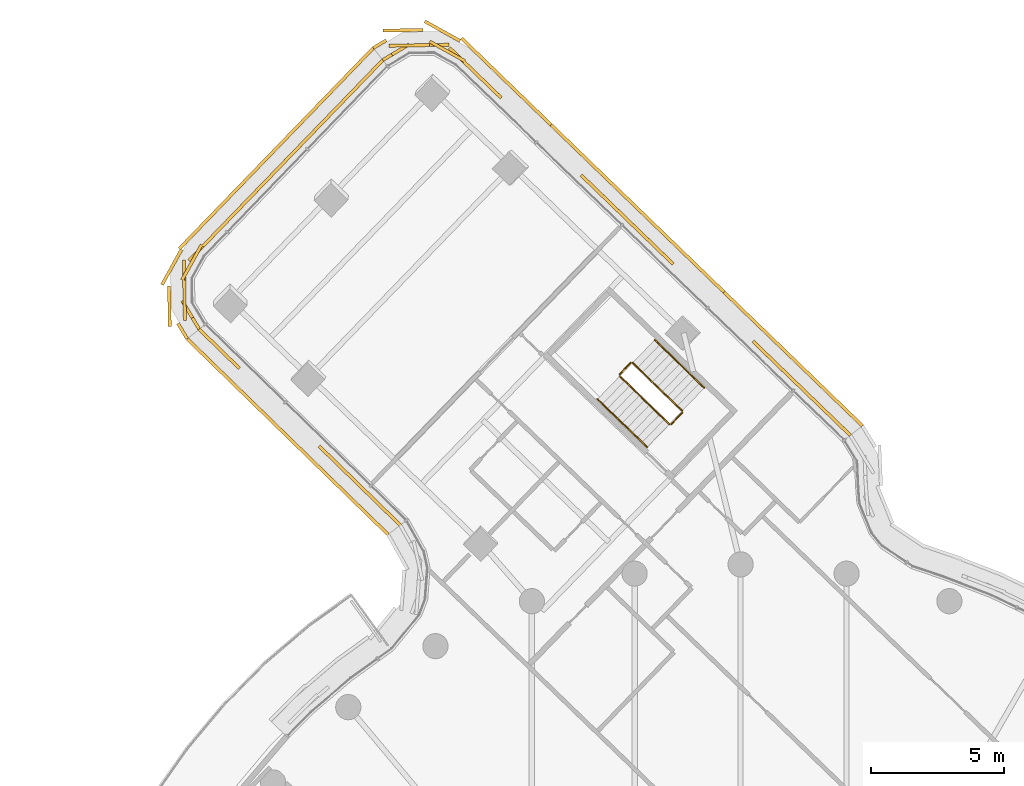
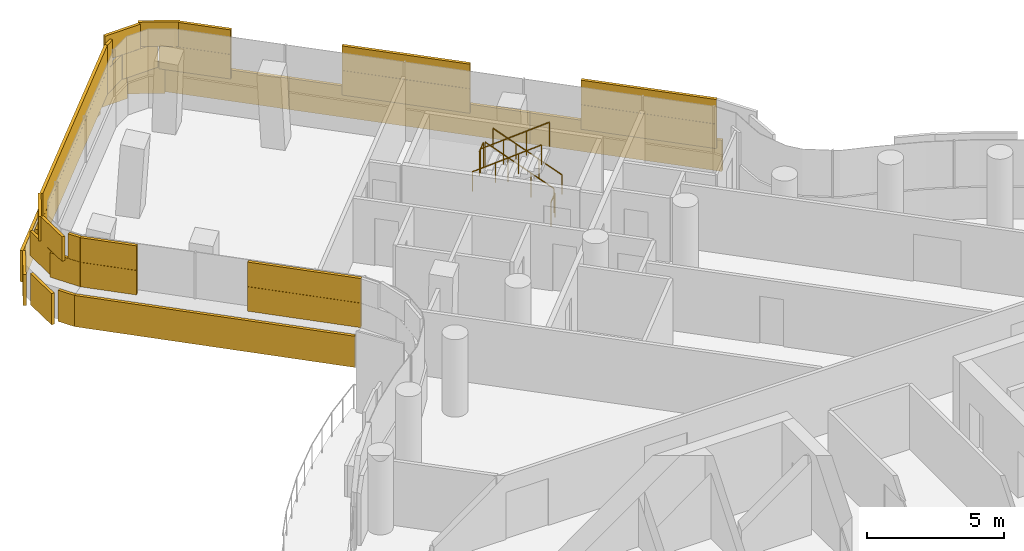
# One storey, part 29 of 31: 6 railings, 5 coverings.
"""IFC4 building model written with IfcOpenShell, lengths in metres."""

from ifc_helpers import new_model, si_unit, direction, frame, origin, origin_2d, place, context, subcontext, project, spatial, rectangle, circle, extrude, material, layer, layer_set, type_object, element, save


model = new_model("IFC4")

# Units and contexts
model_context = context("Model", 3, precision=1e-05, world=origin(), true_north=direction((0.0, 1.0)))
body_context = subcontext(model_context, "Body", "Model", "MODEL_VIEW")
ifc_project = project(units=[si_unit("LENGTHUNIT", "METRE"), si_unit("AREAUNIT", "SQUARE_METRE"), si_unit("VOLUMEUNIT", "CUBIC_METRE"), si_unit("PLANEANGLEUNIT", "RADIAN"), si_unit("MASSUNIT", "GRAM", prefix="KILO")], contexts=[model_context])

# Site, building, storey
site_placement = place(None, origin())
site = spatial("IfcSite", under=ifc_project, at=site_placement, CompositionType="ELEMENT")
building_placement = place(site_placement, origin())
building = spatial("IfcBuilding", under=site, at=building_placement, Name="Tamarind Cross Interchange Tower", CompositionType="ELEMENT")
storey_placement = place(building_placement, frame((0.0, 0.0, 200.5)))
storey = spatial("IfcBuildingStorey", under=building, at=storey_placement, Name="L50", CompositionType="ELEMENT", Elevation=200.5)

# Railings
ifc_material_1 = material(Name="Stair guard")
railing_type_1 = type_object("IfcRailingType", Name="Stair guard", PredefinedType="GUARDRAIL", material=ifc_material_1)
railing_1_placement = place(storey_placement, frame((-2.201416015625, 28.787353515625, 0.16357421875)))
element("IfcRailing", 1, at=railing_1_placement, inside=storey, type_object=railing_type_1, Name="L50 ST4 stair guard 1", PredefinedType="GUARDRAIL", context=body_context, shape_type="SweptSolid", body=[
    extrude(circle(Radius=0.02392578125, at=origin_2d()), frame((0.0, 0.0, 1.076171875), z_axis=(-0.608514108056, 0.588169376221, 0.532698193326), x_axis=(-0.694984879438, -0.719024351015, 0.0)), (0.0, 0.0, 1.0), 3.072021484375),
    extrude(circle(Radius=0.02099609375, at=origin_2d()), origin(), (0.0, 0.0, 1.0), 1.052001953125),
    extrude(circle(Radius=0.02099609375, at=origin_2d()), frame((-0.623046875, 0.602294921875, 0.54541015625)), (0.0, 0.0, 1.0), 1.052001953125),
    extrude(circle(Radius=0.02099609375, at=origin_2d()), frame((-1.246337890625, 1.20458984375, 1.091064453125)), (0.0, 0.0, 1.0), 1.052001953125),
    extrude(circle(Radius=0.02099609375, at=origin_2d()), frame((-1.869384765625, 1.806884765625, 1.636474609375)), (0.0, 0.0, 1.0), 1.052001953125),
])
railing_2_placement = place(storey_placement, frame((-4.141357421875, 30.593017578125, 1.800048828125)))
element("IfcRailing", 2, at=railing_2_placement, inside=storey, type_object=railing_type_1, Name="L50 ST4 stair guard 2", PredefinedType="GUARDRAIL", context=body_context, shape_type="SweptSolid", body=[
    extrude(circle(Radius=0.02392578125, at=origin_2d()), frame((0.0, 0.0, 1.076171875), z_axis=(-0.695001061607, -0.71900870952, 0.0), x_axis=(0.71900870952, -0.695001061607, 0.0)), (0.0, 0.0, 1.0), 0.60009765625),
    extrude(circle(Radius=0.02099609375, at=origin_2d()), origin(), (0.0, 0.0, 1.0), 1.052001953125),
    extrude(circle(Radius=0.02099609375, at=origin_2d()), frame((-0.4169921875, -0.431396484375, 0.0)), (0.0, 0.0, 1.0), 1.052001953125),
])
railing_3_placement = place(storey_placement, frame((-4.55712890625, 30.091064453125, 1.963623046875)))
element("IfcRailing", 3, at=railing_3_placement, inside=storey, type_object=railing_type_1, Name="L50 ST4 stair guard 3", PredefinedType="GUARDRAIL", context=body_context, shape_type="SweptSolid", body=[
    extrude(circle(Radius=0.02392578125, at=origin_2d()), frame((0.0, 0.0, 1.076171875), z_axis=(0.608485664496, -0.588221351521, 0.532673293603), x_axis=(0.695033422776, 0.718977427479, 0.0)), (0.0, 0.0, 1.0), 3.072265625),
    extrude(circle(Radius=0.02099609375, at=origin_2d()), origin(), (0.0, 0.0, 1.0), 1.052001953125),
    extrude(circle(Radius=0.02099609375, at=origin_2d()), frame((0.623046875, -0.602294921875, 0.54541015625)), (0.0, 0.0, 1.0), 1.052001953125),
    extrude(circle(Radius=0.02099609375, at=origin_2d()), frame((1.246337890625, -1.204833984375, 1.091064453125)), (0.0, 0.0, 1.0), 1.052001953125),
    extrude(circle(Radius=0.02099609375, at=origin_2d()), frame((1.869384765625, -1.80712890625, 1.636474609375)), (0.0, 0.0, 1.0), 1.052001953125),
])
railing_4_placement = place(storey_placement, frame((-2.2001953125, 28.716552734375, 0.0)))
element("IfcRailing", 4, at=railing_4_placement, inside=storey, type_object=railing_type_1, Name="L50 ST4 stair guard 4", PredefinedType="GUARDRAIL", context=body_context, shape_type="SweptSolid", body=[
    extrude(circle(Radius=0.02392578125, at=origin_2d()), frame((0.0, 0.0, 1.076171875), z_axis=(-0.695001061607, -0.71900870952, 0.0), x_axis=(0.71900870952, -0.695001061607, 0.0)), (0.0, 0.0, 1.0), 0.60009765625),
    extrude(circle(Radius=0.02099609375, at=origin_2d()), origin(), (0.0, 0.0, 1.0), 1.052001953125),
    extrude(circle(Radius=0.02099609375, at=origin_2d()), frame((-0.4169921875, -0.431396484375, 0.0)), (0.0, 0.0, 1.0), 1.052001953125),
])
ifc_material_2 = material(Name="Stair handrail")
railing_type_2 = type_object("IfcRailingType", Name="Stair handrail", PredefinedType="HANDRAIL", material=ifc_material_2)
railing_5_placement = place(storey_placement, frame((-1.3671875, 29.650146484375, 0.16357421875)))
element("IfcRailing", 5, at=railing_5_placement, inside=storey, type_object=railing_type_2, Name="L50 ST4 stair handrail 1", PredefinedType="HANDRAIL", context=body_context, shape_type="SweptSolid", body=[
    extrude(circle(Radius=0.02392578125, at=origin_2d()), frame((0.0, 0.0, 0.8759765625), z_axis=(-0.608514108056, 0.588169376221, 0.532698193326), x_axis=(-0.694984879438, -0.719024351015, 0.0)), (0.0, 0.0, 1.0), 3.072021484375),
    extrude(circle(Radius=0.02099609375, at=origin_2d()), origin(), (0.0, 0.0, 1.0), 0.851806640625),
    extrude(circle(Radius=0.02099609375, at=origin_2d()), frame((-0.623046875, 0.602294921875, 0.54541015625)), (0.0, 0.0, 1.0), 0.851806640625),
    extrude(circle(Radius=0.02099609375, at=origin_2d()), frame((-1.246337890625, 1.20458984375, 1.091064453125)), (0.0, 0.0, 1.0), 0.851806640625),
    extrude(circle(Radius=0.02099609375, at=origin_2d()), frame((-1.869384765625, 1.806884765625, 1.636474609375)), (0.0, 0.0, 1.0), 0.851806640625),
])
railing_6_placement = place(storey_placement, frame((-5.391357421875, 29.228271484375, 1.963623046875)))
element("IfcRailing", 6, at=railing_6_placement, inside=storey, type_object=railing_type_2, Name="L50 ST4 stair handrail 2", PredefinedType="HANDRAIL", context=body_context, shape_type="SweptSolid", body=[
    extrude(circle(Radius=0.02392578125, at=origin_2d()), frame((0.0, 0.0, 0.8759765625), z_axis=(0.608485664496, -0.588221351521, 0.532673293603), x_axis=(0.695033422776, 0.718977427479, 0.0)), (0.0, 0.0, 1.0), 3.072265625),
    extrude(circle(Radius=0.02099609375, at=origin_2d()), origin(), (0.0, 0.0, 1.0), 0.851806640625),
    extrude(circle(Radius=0.02099609375, at=origin_2d()), frame((0.623046875, -0.602294921875, 0.54541015625)), (0.0, 0.0, 1.0), 0.851806640625),
    extrude(circle(Radius=0.02099609375, at=origin_2d()), frame((1.246337890625, -1.204833984375, 1.091064453125)), (0.0, 0.0, 1.0), 0.851806640625),
    extrude(circle(Radius=0.02099609375, at=origin_2d()), frame((1.869384765625, -1.80712890625, 1.636474609375)), (0.0, 0.0, 1.0), 0.851806640625),
])

# Coverings
ifc_material_3 = material(Name="Terracotta", Category="masonry")
ifc_layer = layer(ifc_material_3, 0.1201171875)
ifc_layer_set = layer_set([ifc_layer], Name="Terracotta")
covering_type = type_object("IfcCoveringType", Name="Terracotta baguette screen unit", PredefinedType="MOLDING", material=ifc_layer_set)
covering_1_placement = place(storey_placement, origin())
element("IfcCovering", 7, at=covering_1_placement, inside=storey, type_object=covering_type, Name="SCR-L50-07-00", PredefinedType="MOLDING", context=body_context, shape_type="SweptSolid", body=[
    extrude(rectangle(XDim=1.510009765625, YDim=0.1201171875, at=origin_2d()), frame((3.59619140625, 28.384765625, 1.40380859375), z_axis=(0.0, 0.0, 1.0), x_axis=(-0.718990536097, 0.695019862308, 0.0)), (0.0, 0.0, 1.0), 1.092041015625),
    extrude(rectangle(XDim=1.52001953125, YDim=0.1201171875, at=origin_2d()), frame((2.517822265625, 29.42724609375, 1.40380859375), z_axis=(0.0, 0.0, 1.0), x_axis=(-0.718990536097, 0.695019862308, 0.0)), (0.0, 0.0, 1.0), 1.092041015625),
    extrude(rectangle(XDim=1.52001953125, YDim=0.1201171875, at=origin_2d()), frame((1.439208984375, 30.4697265625, 1.40380859375), z_axis=(0.0, 0.0, 1.0), x_axis=(-0.718990536097, 0.695019862308, 0.0)), (0.0, 0.0, 1.0), 1.092041015625),
    extrude(rectangle(XDim=0.60498046875, YDim=0.1201171875, at=origin_2d()), frame((0.68603515625, 31.19775390625, 1.40380859375), z_axis=(0.0, 0.0, 1.0), x_axis=(-0.718990536097, 0.695019862308, 0.0)), (0.0, 0.0, 1.0), 1.092041015625),
    extrude(rectangle(XDim=0.760009765625, YDim=0.1201171875, at=origin_2d()), frame((3.86572265625, 28.1240234375, 2.50390625), z_axis=(0.0, 0.0, 1.0), x_axis=(-0.718990536097, 0.695019862308, 0.0)), (0.0, 0.0, 1.0), 1.092041015625),
    extrude(rectangle(XDim=1.52001953125, YDim=0.1201171875, at=origin_2d()), frame((3.056884765625, 28.906005859375, 2.50390625), z_axis=(0.0, 0.0, 1.0), x_axis=(-0.718990536097, 0.695019862308, 0.0)), (0.0, 0.0, 1.0), 1.092041015625),
    extrude(rectangle(XDim=1.52001953125, YDim=0.1201171875, at=origin_2d()), frame((1.978515625, 29.948486328125, 2.50390625), z_axis=(0.0, 0.0, 1.0), x_axis=(-0.718990536097, 0.695019862308, 0.0)), (0.0, 0.0, 1.0), 1.092041015625),
    extrude(rectangle(XDim=1.35498046875, YDim=0.1201171875, at=origin_2d()), frame((0.955810546875, 30.937255859375, 2.50390625), z_axis=(0.0, 0.0, 1.0), x_axis=(-0.718990536097, 0.695019862308, 0.0)), (0.0, 0.0, 1.0), 1.092041015625),
    extrude(rectangle(XDim=1.510009765625, YDim=0.1201171875, at=origin_2d()), frame((4.0439453125, 28.750244140625, 0.00390625), z_axis=(0.0, 0.0, 1.0), x_axis=(-0.718990536097, 0.695019862308, 0.0)), (0.0, 0.0, 1.0), 1.39208984375),
    extrude(rectangle(XDim=1.52001953125, YDim=0.1201171875, at=origin_2d()), frame((2.968994140625, 29.789306640625, 0.00390625), z_axis=(0.0, 0.0, 1.0), x_axis=(-0.718990536097, 0.695019862308, 0.0)), (0.0, 0.0, 1.0), 1.39208984375),
    extrude(rectangle(XDim=1.52001953125, YDim=0.1201171875, at=origin_2d()), frame((1.890625, 30.831787109375, 0.00390625), z_axis=(0.0, 0.0, 1.0), x_axis=(-0.718990536097, 0.695019862308, 0.0)), (0.0, 0.0, 1.0), 1.39208984375),
    extrude(rectangle(XDim=1.52001953125, YDim=0.1201171875, at=origin_2d()), frame((0.81201171875, 31.874267578125, 0.00390625), z_axis=(0.0, 0.0, 1.0), x_axis=(-0.718990536097, 0.695019862308, 0.0)), (0.0, 0.0, 1.0), 1.39208984375),
    extrude(rectangle(XDim=1.25732421875, YDim=0.1201171875, at=origin_2d()), frame((-0.171875, 32.825439453125, 0.00390625), z_axis=(0.0, 0.0, 1.0), x_axis=(-0.718990536097, 0.695019862308, 0.0)), (0.0, 0.0, 1.0), 1.39208984375),
])
covering_2_placement = place(storey_placement, origin())
element("IfcCovering", 8, at=covering_2_placement, inside=storey, type_object=covering_type, Name="SCR-L50-07-01", PredefinedType="MOLDING", context=body_context, shape_type="SweptSolid", body=[
    extrude(rectangle(XDim=1.215087890625, YDim=0.1201171875, at=origin_2d()), frame((-2.980712890625, 34.742431640625, 1.40380859375), z_axis=(0.0, 0.0, 1.0), x_axis=(-0.718990536097, 0.695019862308, 0.0)), (0.0, 0.0, 1.0), 1.092041015625),
    extrude(rectangle(XDim=1.52001953125, YDim=0.1201171875, at=origin_2d()), frame((-3.953125, 35.682373046875, 1.40380859375), z_axis=(0.0, 0.0, 1.0), x_axis=(-0.718990536097, 0.695019862308, 0.0)), (0.0, 0.0, 1.0), 1.092041015625),
    extrude(rectangle(XDim=1.52001953125, YDim=0.1201171875, at=origin_2d()), frame((-5.03173828125, 36.72509765625, 1.40380859375), z_axis=(0.0, 0.0, 1.0), x_axis=(-0.718990536097, 0.695019862308, 0.0)), (0.0, 0.0, 1.0), 1.092041015625),
    extrude(rectangle(XDim=0.615234375, YDim=0.1201171875, at=origin_2d()), frame((-5.78857421875, 37.45654296875, 1.40380859375), z_axis=(0.0, 0.0, 1.0), x_axis=(-0.718990536097, 0.695019862308, 0.0)), (0.0, 0.0, 1.0), 1.092041015625),
    extrude(rectangle(XDim=0.465087890625, YDim=0.1201171875, at=origin_2d()), frame((-2.711181640625, 34.481689453125, 2.50390625), z_axis=(0.0, 0.0, 1.0), x_axis=(-0.718990536097, 0.695019862308, 0.0)), (0.0, 0.0, 1.0), 1.092041015625),
    extrude(rectangle(XDim=1.52001953125, YDim=0.1201171875, at=origin_2d()), frame((-3.4140625, 35.1611328125, 2.50390625), z_axis=(0.0, 0.0, 1.0), x_axis=(-0.718990536097, 0.695019862308, 0.0)), (0.0, 0.0, 1.0), 1.092041015625),
    extrude(rectangle(XDim=1.52001953125, YDim=0.1201171875, at=origin_2d()), frame((-4.492431640625, 36.20361328125, 2.50390625), z_axis=(0.0, 0.0, 1.0), x_axis=(-0.718990536097, 0.695019862308, 0.0)), (0.0, 0.0, 1.0), 1.092041015625),
    extrude(rectangle(XDim=1.365234375, YDim=0.1201171875, at=origin_2d()), frame((-5.518798828125, 37.19580078125, 2.50390625), z_axis=(0.0, 0.0, 1.0), x_axis=(-0.718990536097, 0.695019862308, 0.0)), (0.0, 0.0, 1.0), 1.092041015625),
    extrude(rectangle(XDim=0.2626953125, YDim=0.1201171875, at=origin_2d()), frame((-0.71826171875, 33.353759765625, 0.00390625), z_axis=(0.0, 0.0, 1.0), x_axis=(-0.718990536097, 0.695019862308, 0.0)), (0.0, 0.0, 1.0), 1.39208984375),
    extrude(rectangle(XDim=1.52001953125, YDim=0.1201171875, at=origin_2d()), frame((-1.344970703125, 33.95947265625, 0.00390625), z_axis=(0.0, 0.0, 1.0), x_axis=(-0.718990536097, 0.695019862308, 0.0)), (0.0, 0.0, 1.0), 1.39208984375),
    extrude(rectangle(XDim=1.52001953125, YDim=0.1201171875, at=origin_2d()), frame((-2.42333984375, 35.001953125, 0.00390625), z_axis=(0.0, 0.0, 1.0), x_axis=(-0.718990536097, 0.695019862308, 0.0)), (0.0, 0.0, 1.0), 1.39208984375),
    extrude(rectangle(XDim=1.52001953125, YDim=0.1201171875, at=origin_2d()), frame((-3.501708984375, 36.04443359375, 0.00390625), z_axis=(0.0, 0.0, 1.0), x_axis=(-0.718990536097, 0.695019862308, 0.0)), (0.0, 0.0, 1.0), 1.39208984375),
    extrude(rectangle(XDim=1.52001953125, YDim=0.1201171875, at=origin_2d()), frame((-4.580322265625, 37.0869140625, 0.00390625), z_axis=(0.0, 0.0, 1.0), x_axis=(-0.718990536097, 0.695019862308, 0.0)), (0.0, 0.0, 1.0), 1.39208984375),
    extrude(rectangle(XDim=1.52001953125, YDim=0.1201171875, at=origin_2d()), frame((-5.65869140625, 38.129638671875, 0.00390625), z_axis=(0.0, 0.0, 1.0), x_axis=(-0.718990536097, 0.695019862308, 0.0)), (0.0, 0.0, 1.0), 1.39208984375),
    extrude(rectangle(XDim=1.3330078125, YDim=0.1201171875, at=origin_2d()), frame((-6.670166015625, 39.107177734375, 0.00390625), z_axis=(0.0, 0.0, 1.0), x_axis=(-0.718990536097, 0.695019862308, 0.0)), (0.0, 0.0, 1.0), 1.39208984375),
])
covering_3_placement = place(storey_placement, origin())
element("IfcCovering", 9, at=covering_3_placement, inside=storey, type_object=covering_type, Name="SCR-L50-07-02", PredefinedType="MOLDING", context=body_context, shape_type="SweptSolid", body=[
    extrude(rectangle(XDim=1.204833984375, YDim=0.1201171875, at=origin_2d()), frame((-9.455322265625, 41.001220703125, 1.40380859375), z_axis=(0.0, 0.0, 1.0), x_axis=(-0.718990536097, 0.695019862308, 0.0)), (0.0, 0.0, 1.0), 1.092041015625),
    extrude(rectangle(XDim=1.52001953125, YDim=0.1201171875, at=origin_2d()), frame((-10.424072265625, 41.937744140625, 1.40380859375), z_axis=(0.0, 0.0, 1.0), x_axis=(-0.718990536097, 0.695019862308, 0.0)), (0.0, 0.0, 1.0), 1.092041015625),
    extrude(rectangle(XDim=1.52001953125, YDim=0.1201171875, at=origin_2d()), frame((-11.7421875, 42.56982421875, 1.40380859375), z_axis=(0.0, 0.0, 1.0), x_axis=(-0.999856341381, -0.016949825986, 0.0)), (0.0, 0.0, 1.0), 1.092041015625),
    extrude(rectangle(XDim=1.154052734375, YDim=0.1201171875, at=origin_2d()), frame((-12.992919921875, 42.299072265625, 1.40380859375), z_axis=(0.0, 0.0, 1.0), x_axis=(-0.857426078778, -0.514607150584, 0.0)), (0.0, 0.0, 1.0), 1.092041015625),
    extrude(rectangle(XDim=0.454833984375, YDim=0.1201171875, at=origin_2d()), frame((-9.185791015625, 40.740478515625, 2.50390625), z_axis=(0.0, 0.0, 1.0), x_axis=(-0.718990536097, 0.695019862308, 0.0)), (0.0, 0.0, 1.0), 1.092041015625),
    extrude(rectangle(XDim=1.52001953125, YDim=0.1201171875, at=origin_2d()), frame((-9.884765625, 41.416259765625, 2.50390625), z_axis=(0.0, 0.0, 1.0), x_axis=(-0.718990536097, 0.695019862308, 0.0)), (0.0, 0.0, 1.0), 1.092041015625),
    extrude(rectangle(XDim=1.52001953125, YDim=0.1201171875, at=origin_2d()), frame((-11.0537109375, 42.3369140625, 2.50390625), z_axis=(0.0, 0.0, 1.0), x_axis=(-0.874375904764, 0.485249190797, 0.0)), (0.0, 0.0, 1.0), 1.092041015625),
    extrude(rectangle(XDim=1.52001953125, YDim=0.1201171875, at=origin_2d()), frame((-12.4921875, 42.55712890625, 2.50390625), z_axis=(0.0, 0.0, 1.0), x_axis=(-0.999856341381, -0.016949825986, 0.0)), (0.0, 0.0, 1.0), 1.092041015625),
    extrude(rectangle(XDim=0.404052734375, YDim=0.1201171875, at=origin_2d()), frame((-13.314453125, 42.10595703125, 2.50390625), z_axis=(0.0, 0.0, 1.0), x_axis=(-0.857426078778, -0.514607150584, 0.0)), (0.0, 0.0, 1.0), 1.092041015625),
    extrude(rectangle(XDim=0.18701171875, YDim=0.1201171875, at=origin_2d()), frame((-7.216552734375, 39.63525390625, 0.00390625), z_axis=(0.0, 0.0, 1.0), x_axis=(-0.718990536097, 0.695019862308, 0.0)), (0.0, 0.0, 1.0), 1.39208984375),
    extrude(rectangle(XDim=1.52001953125, YDim=0.1201171875, at=origin_2d()), frame((-7.815673828125, 40.214599609375, 0.00390625), z_axis=(0.0, 0.0, 1.0), x_axis=(-0.718990536097, 0.695019862308, 0.0)), (0.0, 0.0, 1.0), 1.39208984375),
    extrude(rectangle(XDim=1.52001953125, YDim=0.1201171875, at=origin_2d()), frame((-8.894287109375, 41.257080078125, 0.00390625), z_axis=(0.0, 0.0, 1.0), x_axis=(-0.718990536097, 0.695019862308, 0.0)), (0.0, 0.0, 1.0), 1.39208984375),
    extrude(rectangle(XDim=1.52001953125, YDim=0.1201171875, at=origin_2d()), frame((-9.97265625, 42.299560546875, 0.00390625), z_axis=(0.0, 0.0, 1.0), x_axis=(-0.718990536097, 0.695019862308, 0.0)), (0.0, 0.0, 1.0), 1.39208984375),
    extrude(rectangle(XDim=1.52001953125, YDim=0.1201171875, at=origin_2d()), frame((-11.235107421875, 43.093994140625, 0.00390625), z_axis=(0.0, 0.0, 1.0), x_axis=(-0.874375904764, 0.485249190797, 0.0)), (0.0, 0.0, 1.0), 1.39208984375),
    extrude(rectangle(XDim=1.52001953125, YDim=0.1201171875, at=origin_2d()), frame((-12.72021484375, 43.12744140625, 0.00390625), z_axis=(0.0, 0.0, 1.0), x_axis=(-0.999856341381, -0.016949825986, 0.0)), (0.0, 0.0, 1.0), 1.39208984375),
    extrude(rectangle(XDim=0.56884765625, YDim=0.1201171875, at=origin_2d()), frame((-13.599853515625, 42.604248046875, 0.00390625), z_axis=(0.0, 0.0, 1.0), x_axis=(-0.857426078778, -0.514607150584, 0.0)), (0.0, 0.0, 1.0), 1.39208984375),
])
covering_4_placement = place(storey_placement, origin())
element("IfcCovering", 10, at=covering_4_placement, inside=storey, type_object=covering_type, Name="SCR-L50-08-00", PredefinedType="MOLDING", context=body_context, shape_type="SweptSolid", body=[
    extrude(rectangle(XDim=1.510009765625, YDim=0.1201171875, at=origin_2d()), frame((-14.0048828125, 41.46533203125, 1.40380859375), z_axis=(0.0, 0.0, 1.0), x_axis=(-0.695019862308, -0.718990536097, 0.0)), (0.0, 0.0, 1.0), 1.092041015625),
    extrude(rectangle(XDim=1.52001953125, YDim=0.1201171875, at=origin_2d()), frame((-15.04736328125, 40.386962890625, 1.40380859375), z_axis=(0.0, 0.0, 1.0), x_axis=(-0.695019862308, -0.718990536097, 0.0)), (0.0, 0.0, 1.0), 1.092041015625),
    extrude(rectangle(XDim=1.52001953125, YDim=0.1201171875, at=origin_2d()), frame((-16.08984375, 39.308349609375, 1.40380859375), z_axis=(0.0, 0.0, 1.0), x_axis=(-0.695019862308, -0.718990536097, 0.0)), (0.0, 0.0, 1.0), 1.092041015625),
    extrude(rectangle(XDim=1.52001953125, YDim=0.1201171875, at=origin_2d()), frame((-17.13232421875, 38.22998046875, 1.40380859375), z_axis=(0.0, 0.0, 1.0), x_axis=(-0.695019862308, -0.718990536097, 0.0)), (0.0, 0.0, 1.0), 1.092041015625),
    extrude(rectangle(XDim=1.52001953125, YDim=0.1201171875, at=origin_2d()), frame((-18.1748046875, 37.1513671875, 1.40380859375), z_axis=(0.0, 0.0, 1.0), x_axis=(-0.695019862308, -0.718990536097, 0.0)), (0.0, 0.0, 1.0), 1.092041015625),
    extrude(rectangle(XDim=1.52001953125, YDim=0.1201171875, at=origin_2d()), frame((-19.217529296875, 36.072998046875, 1.40380859375), z_axis=(0.0, 0.0, 1.0), x_axis=(-0.695019862308, -0.718990536097, 0.0)), (0.0, 0.0, 1.0), 1.092041015625),
    extrude(rectangle(XDim=1.52001953125, YDim=0.1201171875, at=origin_2d()), frame((-20.260009765625, 34.994384765625, 1.40380859375), z_axis=(0.0, 0.0, 1.0), x_axis=(-0.695019862308, -0.718990536097, 0.0)), (0.0, 0.0, 1.0), 1.092041015625),
    extrude(rectangle(XDim=1.52001953125, YDim=0.1201171875, at=origin_2d()), frame((-20.96728515625, 33.7060546875, 1.40380859375), z_axis=(0.0, 0.0, 1.0), x_axis=(0.016949825986, -0.999856341381, 0.0)), (0.0, 0.0, 1.0), 1.092041015625),
    extrude(rectangle(XDim=1.259521484375, YDim=0.1201171875, at=origin_2d()), frame((-20.721923828125, 32.39501953125, 1.40380859375), z_axis=(0.0, 0.0, 1.0), x_axis=(0.514607150584, -0.857426078778, 0.0)), (0.0, 0.0, 1.0), 1.092041015625),
    extrude(rectangle(XDim=0.760009765625, YDim=0.1201171875, at=origin_2d()), frame((-13.744140625, 41.735107421875, 2.50390625), z_axis=(0.0, 0.0, 1.0), x_axis=(-0.695019862308, -0.718990536097, 0.0)), (0.0, 0.0, 1.0), 1.092041015625),
    extrude(rectangle(XDim=1.52001953125, YDim=0.1201171875, at=origin_2d()), frame((-14.526123046875, 40.92626953125, 2.50390625), z_axis=(0.0, 0.0, 1.0), x_axis=(-0.695019862308, -0.718990536097, 0.0)), (0.0, 0.0, 1.0), 1.092041015625),
    extrude(rectangle(XDim=1.52001953125, YDim=0.1201171875, at=origin_2d()), frame((-15.568603515625, 39.84765625, 2.50390625), z_axis=(0.0, 0.0, 1.0), x_axis=(-0.695019862308, -0.718990536097, 0.0)), (0.0, 0.0, 1.0), 1.092041015625),
    extrude(rectangle(XDim=1.52001953125, YDim=0.1201171875, at=origin_2d()), frame((-16.611083984375, 38.769287109375, 2.50390625), z_axis=(0.0, 0.0, 1.0), x_axis=(-0.695019862308, -0.718990536097, 0.0)), (0.0, 0.0, 1.0), 1.092041015625),
    extrude(rectangle(XDim=1.52001953125, YDim=0.1201171875, at=origin_2d()), frame((-17.653564453125, 37.690673828125, 2.50390625), z_axis=(0.0, 0.0, 1.0), x_axis=(-0.695019862308, -0.718990536097, 0.0)), (0.0, 0.0, 1.0), 1.092041015625),
    extrude(rectangle(XDim=1.52001953125, YDim=0.1201171875, at=origin_2d()), frame((-18.696044921875, 36.6123046875, 2.50390625), z_axis=(0.0, 0.0, 1.0), x_axis=(-0.695019862308, -0.718990536097, 0.0)), (0.0, 0.0, 1.0), 1.092041015625),
    extrude(rectangle(XDim=1.52001953125, YDim=0.1201171875, at=origin_2d()), frame((-19.73876953125, 35.53369140625, 2.50390625), z_axis=(0.0, 0.0, 1.0), x_axis=(-0.695019862308, -0.718990536097, 0.0)), (0.0, 0.0, 1.0), 1.092041015625),
    extrude(rectangle(XDim=1.52001953125, YDim=0.1201171875, at=origin_2d()), frame((-20.681396484375, 34.38134765625, 2.50390625), z_axis=(0.0, 0.0, 1.0), x_axis=(-0.485249190797, -0.874375904764, 0.0)), (0.0, 0.0, 1.0), 1.092041015625),
    extrude(rectangle(XDim=1.52001953125, YDim=0.1201171875, at=origin_2d()), frame((-20.95458984375, 32.9560546875, 2.50390625), z_axis=(0.0, 0.0, 1.0), x_axis=(0.016949825986, -0.999856341381, 0.0)), (0.0, 0.0, 1.0), 1.092041015625),
    extrude(rectangle(XDim=0.509521484375, YDim=0.1201171875, at=origin_2d()), frame((-20.529052734375, 32.073486328125, 2.50390625), z_axis=(0.0, 0.0, 1.0), x_axis=(0.514607150584, -0.857426078778, 0.0)), (0.0, 0.0, 1.0), 1.092041015625),
    extrude(rectangle(XDim=1.510009765625, YDim=0.1201171875, at=origin_2d()), frame((-14.368408203125, 41.9150390625, 0.00390625), z_axis=(0.0, 0.0, 1.0), x_axis=(-0.695019862308, -0.718990536097, 0.0)), (0.0, 0.0, 1.0), 1.39208984375),
    extrude(rectangle(XDim=1.52001953125, YDim=0.1201171875, at=origin_2d()), frame((-15.407470703125, 40.840087890625, 0.00390625), z_axis=(0.0, 0.0, 1.0), x_axis=(-0.695019862308, -0.718990536097, 0.0)), (0.0, 0.0, 1.0), 1.39208984375),
    extrude(rectangle(XDim=1.52001953125, YDim=0.1201171875, at=origin_2d()), frame((-16.449951171875, 39.76171875, 0.00390625), z_axis=(0.0, 0.0, 1.0), x_axis=(-0.695019862308, -0.718990536097, 0.0)), (0.0, 0.0, 1.0), 1.39208984375),
    extrude(rectangle(XDim=1.52001953125, YDim=0.1201171875, at=origin_2d()), frame((-17.492431640625, 38.683349609375, 0.00390625), z_axis=(0.0, 0.0, 1.0), x_axis=(-0.695019862308, -0.718990536097, 0.0)), (0.0, 0.0, 1.0), 1.39208984375),
    extrude(rectangle(XDim=1.52001953125, YDim=0.1201171875, at=origin_2d()), frame((-18.53515625, 37.604736328125, 0.00390625), z_axis=(0.0, 0.0, 1.0), x_axis=(-0.695019862308, -0.718990536097, 0.0)), (0.0, 0.0, 1.0), 1.39208984375),
    extrude(rectangle(XDim=1.52001953125, YDim=0.1201171875, at=origin_2d()), frame((-19.57763671875, 36.5263671875, 0.00390625), z_axis=(0.0, 0.0, 1.0), x_axis=(-0.695019862308, -0.718990536097, 0.0)), (0.0, 0.0, 1.0), 1.39208984375),
    extrude(rectangle(XDim=1.52001953125, YDim=0.1201171875, at=origin_2d()), frame((-20.6201171875, 35.44775390625, 0.00390625), z_axis=(0.0, 0.0, 1.0), x_axis=(-0.695019862308, -0.718990536097, 0.0)), (0.0, 0.0, 1.0), 1.39208984375),
    extrude(rectangle(XDim=1.52001953125, YDim=0.1201171875, at=origin_2d()), frame((-21.43701171875, 34.2021484375, 0.00390625), z_axis=(0.0, 0.0, 1.0), x_axis=(-0.485249190797, -0.874375904764, 0.0)), (0.0, 0.0, 1.0), 1.39208984375),
    extrude(rectangle(XDim=1.52001953125, YDim=0.1201171875, at=origin_2d()), frame((-21.52490234375, 32.730712890625, 0.00390625), z_axis=(0.0, 0.0, 1.0), x_axis=(0.016949825986, -0.999856341381, 0.0)), (0.0, 0.0, 1.0), 1.39208984375),
    extrude(rectangle(XDim=0.67578125, YDim=0.1201171875, at=origin_2d()), frame((-21.0283203125, 31.789794921875, 0.00390625), z_axis=(0.0, 0.0, 1.0), x_axis=(0.514607150584, -0.857426078778, 0.0)), (0.0, 0.0, 1.0), 1.39208984375),
])
covering_5_placement = place(storey_placement, origin())
element("IfcCovering", 11, at=covering_5_placement, inside=storey, type_object=covering_type, Name="SCR-L50-09-00", PredefinedType="MOLDING", context=body_context, shape_type="SweptSolid", body=[
    extrude(rectangle(XDim=1.510009765625, YDim=0.1201171875, at=origin_2d()), frame((-19.86328125, 31.3359375, 1.40380859375), z_axis=(0.0, 0.0, 1.0), x_axis=(0.716214822017, -0.6978798813, 0.0)), (0.0, 0.0, 1.0), 1.092041015625),
    extrude(rectangle(XDim=0.617431640625, YDim=0.1201171875, at=origin_2d()), frame((-19.108642578125, 30.6005859375, 1.40380859375), z_axis=(0.0, 0.0, 1.0), x_axis=(0.716214822017, -0.6978798813, 0.0)), (0.0, 0.0, 1.0), 1.092041015625),
    extrude(rectangle(XDim=1.202392578125, YDim=0.1201171875, at=origin_2d()), frame((-15.455810546875, 27.041259765625, 1.40380859375), z_axis=(0.0, 0.0, 1.0), x_axis=(0.716214822017, -0.6978798813, 0.0)), (0.0, 0.0, 1.0), 1.092041015625),
    extrude(rectangle(XDim=1.52001953125, YDim=0.1201171875, at=origin_2d()), frame((-14.49169921875, 26.101806640625, 1.40380859375), z_axis=(0.0, 0.0, 1.0), x_axis=(0.716214822017, -0.6978798813, 0.0)), (0.0, 0.0, 1.0), 1.092041015625),
    extrude(rectangle(XDim=1.52001953125, YDim=0.1201171875, at=origin_2d()), frame((-13.41748046875, 25.054931640625, 1.40380859375), z_axis=(0.0, 0.0, 1.0), x_axis=(0.716214822017, -0.6978798813, 0.0)), (0.0, 0.0, 1.0), 1.092041015625),
    extrude(rectangle(XDim=0.0859375, YDim=0.1201171875, at=origin_2d()), frame((-12.85302734375, 24.505126953125, 1.40380859375), z_axis=(0.0, 0.0, 1.0), x_axis=(0.716214822017, -0.6978798813, 0.0)), (0.0, 0.0, 1.0), 1.092041015625),
    extrude(rectangle(XDim=0.760009765625, YDim=0.1201171875, at=origin_2d()), frame((-20.1318359375, 31.59765625, 2.50390625), z_axis=(0.0, 0.0, 1.0), x_axis=(0.716214822017, -0.6978798813, 0.0)), (0.0, 0.0, 1.0), 1.092041015625),
    extrude(rectangle(XDim=1.367431640625, YDim=0.1201171875, at=origin_2d()), frame((-19.377197265625, 30.8623046875, 2.50390625), z_axis=(0.0, 0.0, 1.0), x_axis=(0.716214822017, -0.6978798813, 0.0)), (0.0, 0.0, 1.0), 1.092041015625),
    extrude(rectangle(XDim=0.452392578125, YDim=0.1201171875, at=origin_2d()), frame((-15.724365234375, 27.302978515625, 2.50390625), z_axis=(0.0, 0.0, 1.0), x_axis=(0.716214822017, -0.6978798813, 0.0)), (0.0, 0.0, 1.0), 1.092041015625),
    extrude(rectangle(XDim=1.52001953125, YDim=0.1201171875, at=origin_2d()), frame((-15.02880859375, 26.625244140625, 2.50390625), z_axis=(0.0, 0.0, 1.0), x_axis=(0.716214822017, -0.6978798813, 0.0)), (0.0, 0.0, 1.0), 1.092041015625),
    extrude(rectangle(XDim=1.52001953125, YDim=0.1201171875, at=origin_2d()), frame((-13.95458984375, 25.578369140625, 2.50390625), z_axis=(0.0, 0.0, 1.0), x_axis=(0.716214822017, -0.6978798813, 0.0)), (0.0, 0.0, 1.0), 1.092041015625),
    extrude(rectangle(XDim=0.8359375, YDim=0.1201171875, at=origin_2d()), frame((-13.12158203125, 24.766845703125, 2.50390625), z_axis=(0.0, 0.0, 1.0), x_axis=(0.716214822017, -0.6978798813, 0.0)), (0.0, 0.0, 1.0), 1.092041015625),
    extrude(rectangle(XDim=1.510009765625, YDim=0.1201171875, at=origin_2d()), frame((-20.3134765625, 30.97314453125, 0.00390625), z_axis=(0.0, 0.0, 1.0), x_axis=(0.716214822017, -0.6978798813, 0.0)), (0.0, 0.0, 1.0), 1.39208984375),
    extrude(rectangle(XDim=1.52001953125, YDim=0.1201171875, at=origin_2d()), frame((-19.242919921875, 29.929931640625, 0.00390625), z_axis=(0.0, 0.0, 1.0), x_axis=(0.716214822017, -0.6978798813, 0.0)), (0.0, 0.0, 1.0), 1.39208984375),
    extrude(rectangle(XDim=1.52001953125, YDim=0.1201171875, at=origin_2d()), frame((-18.16845703125, 28.883056640625, 0.00390625), z_axis=(0.0, 0.0, 1.0), x_axis=(0.716214822017, -0.6978798813, 0.0)), (0.0, 0.0, 1.0), 1.39208984375),
    extrude(rectangle(XDim=1.52001953125, YDim=0.1201171875, at=origin_2d()), frame((-17.09423828125, 27.836181640625, 0.00390625), z_axis=(0.0, 0.0, 1.0), x_axis=(0.716214822017, -0.6978798813, 0.0)), (0.0, 0.0, 1.0), 1.39208984375),
    extrude(rectangle(XDim=1.52001953125, YDim=0.1201171875, at=origin_2d()), frame((-16.019775390625, 26.78955078125, 0.00390625), z_axis=(0.0, 0.0, 1.0), x_axis=(0.716214822017, -0.6978798813, 0.0)), (0.0, 0.0, 1.0), 1.39208984375),
    extrude(rectangle(XDim=1.52001953125, YDim=0.1201171875, at=origin_2d()), frame((-14.945556640625, 25.74267578125, 0.00390625), z_axis=(0.0, 0.0, 1.0), x_axis=(0.716214822017, -0.6978798813, 0.0)), (0.0, 0.0, 1.0), 1.39208984375),
    extrude(rectangle(XDim=1.52001953125, YDim=0.1201171875, at=origin_2d()), frame((-13.871337890625, 24.69580078125, 0.00390625), z_axis=(0.0, 0.0, 1.0), x_axis=(0.716214822017, -0.6978798813, 0.0)), (0.0, 0.0, 1.0), 1.39208984375),
    extrude(rectangle(XDim=0.076904296875, YDim=0.1201171875, at=origin_2d()), frame((-13.313720703125, 24.152587890625, 0.00390625), z_axis=(0.0, 0.0, 1.0), x_axis=(0.716214822017, -0.6978798813, 0.0)), (0.0, 0.0, 1.0), 1.39208984375),
])

save(model, "model.ifc")
